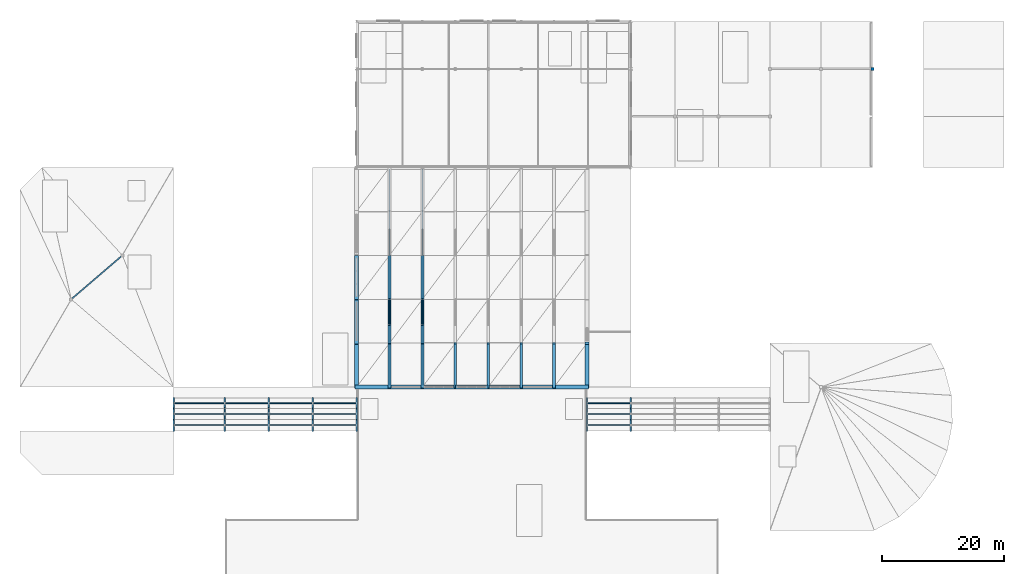
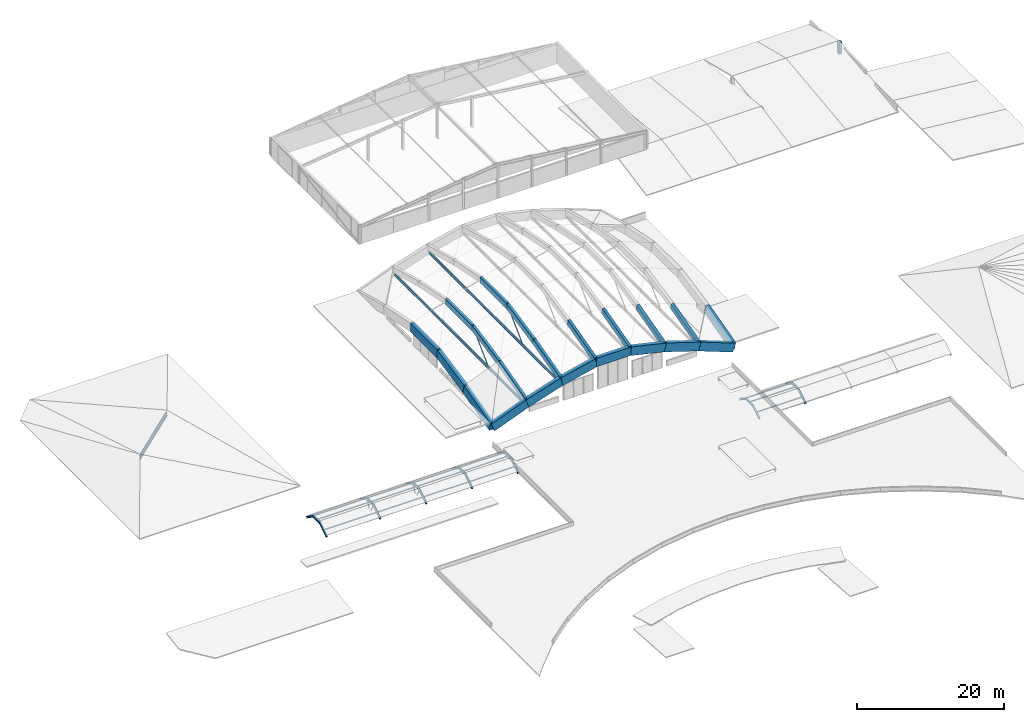
# One storey, part 6 of 27: 45 beams, 21 members, 1 column.
"""IFC4 building model written with IfcOpenShell, lengths in metres."""

from ifc_helpers import new_model, si_unit, direction, frame, origin, origin_2d, place, context, subcontext, project, spatial, rectangle, hollow_rectangle, hollow_circle, i_section, extrude, material, material_profile, profile_set, type_object, element, save


model = new_model("IFC4")

# Units and contexts
model_context = context("Model", 3, precision=1e-05, world=origin(), true_north=direction((0.0, 1.0)))
body_context = subcontext(model_context, "Body", "Model", "MODEL_VIEW")
ifc_project = project(units=[si_unit("LENGTHUNIT", "METRE"), si_unit("AREAUNIT", "SQUARE_METRE"), si_unit("VOLUMEUNIT", "CUBIC_METRE"), si_unit("PLANEANGLEUNIT", "RADIAN"), si_unit("MASSUNIT", "GRAM", prefix="KILO")], contexts=[model_context])

# Site, building, storey
site_placement = place(None, origin())
site = spatial("IfcSite", under=ifc_project, at=site_placement, CompositionType="ELEMENT")
building_placement = place(site_placement, origin())
building = spatial("IfcBuilding", under=site, at=building_placement, Name="Tazoul Stagehouse", CompositionType="ELEMENT")
storey_placement = place(building_placement, frame((0.0, 0.0, 24.89990234375)))
storey = spatial("IfcBuildingStorey", under=building, at=storey_placement, Name="RF", CompositionType="ELEMENT", Elevation=24.89990234375)

# Column
ifc_material_1 = material(Name="Concrete C40/50", Category="concrete")
ifc_material_profile_1 = material_profile(ifc_material_1, rectangle(XDim=0.5, YDim=0.5, at=origin_2d()), Name="RC 500x500")
ifc_profile_set_1 = profile_set([ifc_material_profile_1], Name="Concrete C40/50")
column_type = type_object("IfcColumnType", Name="RC Column 500x500 (Exterior)", PredefinedType="COLUMN", material=ifc_profile_set_1)
column_placement = place(storey_placement, frame((142.199951171875, 104.0, -7.989990234375), z_axis=(0.0, 0.0, 1.0), x_axis=(1.0, 0.0, 0.0)))
element("IfcColumn", 1, at=column_placement, inside=storey, type_object=column_type, Name="RF Rehearsal Vault Ridge Column C-02E (VB-21)", PredefinedType="COLUMN", context=body_context, shape_type="SweptSolid", body=[
    extrude(rectangle(XDim=0.5, YDim=0.5, at=origin_2d()), origin(), (0.0, 0.0, 1.0), 1.960205078125),
])

# Beams
ifc_material_profile_2 = material_profile(ifc_material_1, rectangle(XDim=0.449951171875, YDim=0.89990234375, at=origin_2d()), Name="RC 450x900")
ifc_profile_set_2 = profile_set([ifc_material_profile_2], Name="Concrete C40/50")
beam_type_1 = type_object("IfcBeamType", Name="RC Shell Arch Rib 450x900", PredefinedType="BEAM", material=ifc_profile_set_2)
beam_1_placement = place(storey_placement, frame((63.0, 51.800048828125, -6.15478515625), z_axis=(0.0, 0.966171834407, 0.257899178748), x_axis=(-1.0, 0.0, 0.0)))
element("IfcBeam", 2, at=beam_1_placement, inside=storey, type_object=beam_type_1, Name="Shell Arch Rib AR-01 R2.1", PredefinedType="BEAM", context=body_context, shape_type="SweptSolid", body=[
    extrude(rectangle(XDim=0.449951171875, YDim=0.89990234375, at=origin_2d()), origin(), (0.0, 0.0, 1.0), 7.4521484375),
])
beam_2_placement = place(storey_placement, frame((63.0, 59.0, -4.23291015625), z_axis=(0.0, 0.979911795909, 0.199431372251), x_axis=(-1.0, 0.0, 0.0)))
element("IfcBeam", 3, at=beam_2_placement, inside=storey, type_object=beam_type_1, Name="Shell Arch Rib AR-01 R2.2", PredefinedType="BEAM", context=body_context, shape_type="SweptSolid", body=[
    extrude(rectangle(XDim=0.449951171875, YDim=0.89990234375, at=origin_2d()), origin(), (0.0, 0.0, 1.0), 7.34765625),
])
beam_3_placement = place(storey_placement, frame((63.0, 66.199951171875, -2.767578125), z_axis=(0.0, 1.0, 0.0), x_axis=(-1.0, 0.0, 0.0)))
element("IfcBeam", 4, at=beam_3_placement, inside=storey, type_object=beam_type_1, Name="Shell Arch Rib AR-01 R2.3", PredefinedType="BEAM", context=body_context, shape_type="SweptSolid", body=[
    extrude(rectangle(XDim=0.449951171875, YDim=0.89990234375, at=origin_2d()), origin(), (0.0, 0.0, 1.0), 7.199951171875),
])
beam_4_placement = place(storey_placement, frame((68.39990234375, 51.800048828125, -4.420166015625), z_axis=(0.0, 0.966171834407, 0.257899178748), x_axis=(-1.0, 0.0, 0.0)))
element("IfcBeam", 5, at=beam_4_placement, inside=storey, type_object=beam_type_1, Name="Shell Arch Rib AR-01 R3.1", PredefinedType="BEAM", context=body_context, shape_type="SweptSolid", body=[
    extrude(rectangle(XDim=0.449951171875, YDim=0.89990234375, at=origin_2d()), origin(), (0.0, 0.0, 1.0), 7.4521484375),
])
beam_5_placement = place(storey_placement, frame((68.39990234375, 59.0, -2.498291015625), z_axis=(0.0, 0.979911795909, 0.199431372251), x_axis=(-1.0, 0.0, 0.0)))
element("IfcBeam", 6, at=beam_5_placement, inside=storey, type_object=beam_type_1, Name="Shell Arch Rib AR-01 R3.2", PredefinedType="BEAM", context=body_context, shape_type="SweptSolid", body=[
    extrude(rectangle(XDim=0.449951171875, YDim=0.89990234375, at=origin_2d()), origin(), (0.0, 0.0, 1.0), 7.34765625),
])
beam_6_placement = place(storey_placement, frame((68.39990234375, 66.199951171875, -1.032958984375), z_axis=(0.0, 1.0, 0.0), x_axis=(-1.0, 0.0, 0.0)))
element("IfcBeam", 7, at=beam_6_placement, inside=storey, type_object=beam_type_1, Name="Shell Arch Rib AR-01 R3.3", PredefinedType="BEAM", context=body_context, shape_type="SweptSolid", body=[
    extrude(rectangle(XDim=0.449951171875, YDim=0.89990234375, at=origin_2d()), origin(), (0.0, 0.0, 1.0), 7.199951171875),
])
for number, where, z_axis, x_axis, name in (
    (8, (73.800048828125, 51.800048828125, -3.160888671875), (0.0, 0.966163670627, 0.257929760905), (-1.0, 0.0, 0.0), "Shell Arch Rib AR-01 R4.1"),
    (9, (79.199951171875, 51.800048828125, -3.160888671875), (0.0, 0.966163670627, 0.257929760905), (-1.0, 0.0, 0.0), "Shell Arch Rib AR-01 R5.1"),
    (10, (84.60009765625, 51.800048828125, -4.420166015625), (0.0, 0.966171834407, 0.257899178748), (-1.0, 0.0, 0.0), "Shell Arch Rib AR-01 R6.1"),
    (11, (90.0, 51.800048828125, -6.15478515625), (0.0, 0.966171834407, 0.257899178748), (-1.0, 0.0, 0.0), "Shell Arch Rib AR-01 R7.1"),
):
    element("IfcBeam", number, at=place(storey_placement, frame(where, z_axis=z_axis, x_axis=x_axis)), inside=storey, type_object=beam_type_1, Name=name, PredefinedType="BEAM", context=body_context, shape_type="SweptSolid", body=[
        extrude(rectangle(XDim=0.449951171875, YDim=0.89990234375, at=origin_2d()), origin(), (0.0, 0.0, 1.0), 7.4521484375),
    ])
ifc_material_profile_3 = material_profile(ifc_material_1, rectangle(XDim=0.60009765625, YDim=1.39990234375, at=origin_2d()), Name="RC 600x1400")
ifc_profile_set_3 = profile_set([ifc_material_profile_3], Name="Concrete C40/50")
beam_type_2 = type_object("IfcBeamType", Name="RC Shell Edge Ring Beam 600x1400 (Exterior)", PredefinedType="BEAM", material=ifc_profile_set_3)
beam_7_placement = place(storey_placement, frame((57.60009765625, 51.800048828125, -8.5), z_axis=(0.0, 0.966163670627, 0.257929760905), x_axis=(-1.0, 0.0, 0.0)))
element("IfcBeam", 12, at=beam_7_placement, inside=storey, type_object=beam_type_2, Name="Shell Edge Beam EB-01E R1.1", PredefinedType="BEAM", context=body_context, shape_type="SweptSolid", body=[
    extrude(rectangle(XDim=0.60009765625, YDim=1.39990234375, at=origin_2d()), origin(), (0.0, 0.0, 1.0), 7.4521484375),
])
beam_8_placement = place(storey_placement, frame((57.60009765625, 59.0, -6.577880859375), z_axis=(0.0, 0.979911795909, 0.199431372251), x_axis=(-1.0, 0.0, 0.0)))
element("IfcBeam", 13, at=beam_8_placement, inside=storey, type_object=beam_type_2, Name="Shell Edge Beam EB-01E R1.2", PredefinedType="BEAM", context=body_context, shape_type="SweptSolid", body=[
    extrude(rectangle(XDim=0.60009765625, YDim=1.39990234375, at=origin_2d()), origin(), (0.0, 0.0, 1.0), 7.34765625),
])
beam_9_placement = place(storey_placement, frame((57.60009765625, 66.199951171875, -5.112548828125), z_axis=(0.0, 1.0, 0.0), x_axis=(-1.0, 0.0, 0.0)))
element("IfcBeam", 14, at=beam_9_placement, inside=storey, type_object=beam_type_2, Name="Shell Edge Beam EB-01E R1.3", PredefinedType="BEAM", context=body_context, shape_type="SweptSolid", body=[
    extrude(rectangle(XDim=0.60009765625, YDim=1.39990234375, at=origin_2d()), origin(), (0.0, 0.0, 1.0), 7.199951171875),
])
beam_10_placement = place(storey_placement, frame((95.39990234375, 51.800048828125, -8.5), z_axis=(0.0, 0.966163670627, 0.257929760905), x_axis=(-1.0, 0.0, 0.0)))
element("IfcBeam", 15, at=beam_10_placement, inside=storey, type_object=beam_type_2, Name="Shell Edge Beam EB-01E R8.1", PredefinedType="BEAM", context=body_context, shape_type="SweptSolid", body=[
    extrude(rectangle(XDim=0.60009765625, YDim=1.39990234375, at=origin_2d()), origin(), (0.0, 0.0, 1.0), 7.4521484375),
])
beam_11_placement = place(storey_placement, frame((57.60009765625, 51.800048828125, -8.52001953125), z_axis=(0.932863213405, 0.0, 0.360230794181), x_axis=(0.0, 1.0, 0.0)))
element("IfcBeam", 16, at=beam_11_placement, inside=storey, type_object=beam_type_2, Name="Shell Perimeter Edge Beam EB-01E S1", PredefinedType="BEAM", context=body_context, shape_type="SweptSolid", body=[
    extrude(rectangle(XDim=0.60009765625, YDim=1.39990234375, at=origin_2d()), origin(), (0.0, 0.0, 1.0), 5.78857421875),
])
beam_12_placement = place(storey_placement, frame((63.0, 51.800048828125, -6.434814453125), z_axis=(0.952083186685, 0.0, 0.305839182629), x_axis=(0.0, 1.0, 0.0)))
element("IfcBeam", 17, at=beam_12_placement, inside=storey, type_object=beam_type_2, Name="Shell Perimeter Edge Beam EB-01E S2", PredefinedType="BEAM", context=body_context, shape_type="SweptSolid", body=[
    extrude(rectangle(XDim=0.60009765625, YDim=1.39990234375, at=origin_2d()), origin(), (0.0, 0.0, 1.0), 5.671630859375),
])
beam_13_placement = place(storey_placement, frame((68.39990234375, 51.800048828125, -4.7001953125), z_axis=(0.973871404196, 0.0, 0.227100171927), x_axis=(0.0, 1.0, 0.0)))
element("IfcBeam", 18, at=beam_13_placement, inside=storey, type_object=beam_type_2, Name="Shell Perimeter Edge Beam EB-01E S3", PredefinedType="BEAM", context=body_context, shape_type="SweptSolid", body=[
    extrude(rectangle(XDim=0.60009765625, YDim=1.39990234375, at=origin_2d()), origin(), (0.0, 0.0, 1.0), 5.544921875),
])
beam_14_placement = place(storey_placement, frame((73.800048828125, 51.800048828125, -3.44091796875), z_axis=(1.0, 0.0, 0.0), x_axis=(0.0, 1.0, 0.0)))
element("IfcBeam", 19, at=beam_14_placement, inside=storey, type_object=beam_type_2, Name="Shell Perimeter Edge Beam EB-01E S4", PredefinedType="BEAM", context=body_context, shape_type="SweptSolid", body=[
    extrude(rectangle(XDim=0.60009765625, YDim=1.39990234375, at=origin_2d()), origin(), (0.0, 0.0, 1.0), 5.39990234375),
])
beam_15_placement = place(storey_placement, frame((79.199951171875, 51.800048828125, -3.44091796875), z_axis=(0.973871404196, 0.0, -0.227100171927), x_axis=(0.0, 1.0, 0.0)))
element("IfcBeam", 20, at=beam_15_placement, inside=storey, type_object=beam_type_2, Name="Shell Perimeter Edge Beam EB-01E S5", PredefinedType="BEAM", context=body_context, shape_type="SweptSolid", body=[
    extrude(rectangle(XDim=0.60009765625, YDim=1.39990234375, at=origin_2d()), origin(), (0.0, 0.0, 1.0), 5.544921875),
])
beam_16_placement = place(storey_placement, frame((84.60009765625, 51.800048828125, -4.7001953125), z_axis=(0.952083186685, 0.0, -0.305839182629), x_axis=(0.0, 1.0, 0.0)))
element("IfcBeam", 21, at=beam_16_placement, inside=storey, type_object=beam_type_2, Name="Shell Perimeter Edge Beam EB-01E S6", PredefinedType="BEAM", context=body_context, shape_type="SweptSolid", body=[
    extrude(rectangle(XDim=0.60009765625, YDim=1.39990234375, at=origin_2d()), origin(), (0.0, 0.0, 1.0), 5.671630859375),
])
beam_17_placement = place(storey_placement, frame((90.0, 51.800048828125, -6.434814453125), z_axis=(0.932863213405, 0.0, -0.360230794181), x_axis=(0.0, 1.0, 0.0)))
element("IfcBeam", 22, at=beam_17_placement, inside=storey, type_object=beam_type_2, Name="Shell Perimeter Edge Beam EB-01E S7", PredefinedType="BEAM", context=body_context, shape_type="SweptSolid", body=[
    extrude(rectangle(XDim=0.60009765625, YDim=1.39990234375, at=origin_2d()), origin(), (0.0, 0.0, 1.0), 5.78857421875),
])

# Members
ifc_material_2 = material(Name="Steel S355", Category="steel")
ifc_material_profile_4 = material_profile(ifc_material_2, hollow_circle(Radius=0.084228515625, WallThickness=0.008056640625, at=origin_2d()), Name="CHS 168.3x8")
ifc_profile_set_4 = profile_set([ifc_material_profile_4], Name="Steel S355")
member_type_1 = type_object("IfcMemberType", Name="Roof Plan Wind Brace CHS 168.3x8", PredefinedType="BRACE", material=ifc_profile_set_4)
member_1_placement = place(storey_placement, frame((63.0, 62.0, -6.8349609375), z_axis=(0.0, 0.718353032031, 0.695678748685), x_axis=(-1.0, 0.0, 0.0)))
element("IfcMember", 23, at=member_1_placement, inside=storey, type_object=member_type_1, Name="RF Concentric Brace BR-03 (SHELL-STRUT-02S)", PredefinedType="BRACE", context=body_context, shape_type="SweptSolid", body=[
    extrude(hollow_circle(Radius=0.084228515625, WallThickness=0.008056640625, at=origin_2d()), origin(), (0.0, 0.0, 1.0), 5.8466796875),
])
member_2_placement = place(storey_placement, frame((68.39990234375, 62.0, -5.10009765625), z_axis=(0.0, 0.718373900293, 0.695657199616), x_axis=(-1.0, 0.0, 0.0)))
element("IfcMember", 24, at=member_2_placement, inside=storey, type_object=member_type_1, Name="RF Concentric Brace BR-03 (SHELL-STRUT-03S)", PredefinedType="BRACE", context=body_context, shape_type="SweptSolid", body=[
    extrude(hollow_circle(Radius=0.084228515625, WallThickness=0.008056640625, at=origin_2d()), origin(), (0.0, 0.0, 1.0), 5.846435546875),
])
ifc_material_profile_5 = material_profile(ifc_material_2, hollow_circle(Radius=0.084228515625, WallThickness=0.008056640625, at=origin_2d()), Name="CHS 168.3x8")
ifc_profile_set_5 = profile_set([ifc_material_profile_5], Name="Steel S355")
member_type_2 = type_object("IfcMemberType", Name="Roof Plan Wind Brace CHS 168.3x8 (Exterior)", PredefinedType="BRACE", material=ifc_profile_set_5)
member_3_placement = place(storey_placement, frame((36.0, 47.14990234375, -12.0), z_axis=(0.0, -0.464222018698, 0.885718870385), x_axis=(1.0, 0.0, 0.0)))
element("IfcMember", 25, at=member_3_placement, inside=storey, type_object=member_type_2, Name="RF Concentric Brace BR-03E (BR-VP-WEB-36-1)", PredefinedType="BRACE", context=body_context, shape_type="SweptSolid", body=[
    extrude(hollow_circle(Radius=0.084228515625, WallThickness=0.008056640625, at=origin_2d()), origin(), (0.0, 0.0, 1.0), 1.39990234375),
])
member_4_placement = place(storey_placement, frame((36.0, 47.64990234375, -12.0), z_axis=(0.0, 0.46435880945, 0.885647162298), x_axis=(-1.0, 0.0, 0.0)))
element("IfcMember", 26, at=member_4_placement, inside=storey, type_object=member_type_2, Name="RF Concentric Brace BR-03E (BR-VP-WEB-36-2)", PredefinedType="BRACE", context=body_context, shape_type="SweptSolid", body=[
    extrude(hollow_circle(Radius=0.084228515625, WallThickness=0.008056640625, at=origin_2d()), origin(), (0.0, 0.0, 1.0), 1.400146484375),
])
member_5_placement = place(storey_placement, frame((43.199951171875, 47.14990234375, -12.0), z_axis=(0.0, -0.464222018698, 0.885718870385), x_axis=(1.0, 0.0, 0.0)))
element("IfcMember", 27, at=member_5_placement, inside=storey, type_object=member_type_2, Name="RF Concentric Brace BR-03E (BR-VP-WEB-43-1)", PredefinedType="BRACE", context=body_context, shape_type="SweptSolid", body=[
    extrude(hollow_circle(Radius=0.084228515625, WallThickness=0.008056640625, at=origin_2d()), origin(), (0.0, 0.0, 1.0), 1.39990234375),
])
member_6_placement = place(storey_placement, frame((43.199951171875, 47.64990234375, -12.0), z_axis=(0.0, 0.46435880945, 0.885647162298), x_axis=(-1.0, 0.0, 0.0)))
element("IfcMember", 28, at=member_6_placement, inside=storey, type_object=member_type_2, Name="RF Concentric Brace BR-03E (BR-VP-WEB-43-2)", PredefinedType="BRACE", context=body_context, shape_type="SweptSolid", body=[
    extrude(hollow_circle(Radius=0.084228515625, WallThickness=0.008056640625, at=origin_2d()), origin(), (0.0, 0.0, 1.0), 1.400146484375),
])

# Beams
ifc_material_profile_6 = material_profile(ifc_material_2, i_section(OverallWidth=0.2099609375, OverallDepth=0.550048828125, WebThickness=0.010986328125, FlangeThickness=0.01708984375, FilletRadius=0.02392578125, at=origin_2d()), Name="IPE 550")
ifc_profile_set_6 = profile_set([ifc_material_profile_6], Name="Steel S355")
beam_type_3 = type_object("IfcBeamType", Name="Steel Hall Girder IPE 550", PredefinedType="BEAM", material=ifc_profile_set_6)
beam_18_placement = place(storey_placement, frame((10.800048828125, 66.199951171875, -6.02001953125), z_axis=(0.759255044656, 0.650793190779, 0.0), x_axis=(-0.650793190779, 0.759255044656, 0.0)))
element("IfcBeam", 29, at=beam_18_placement, inside=storey, type_object=beam_type_3, Name="RF Black-Box Folded Roof Spine Girder SB-05", PredefinedType="BEAM", context=body_context, shape_type="SweptSolid", body=[
    extrude(i_section(OverallWidth=0.2099609375, OverallDepth=0.550048828125, WebThickness=0.010986328125, FlangeThickness=0.01708984375, FilletRadius=0.02392578125, at=origin_2d()), origin(), (0.0, 0.0, 1.0), 11.063232421875),
])
ifc_material_profile_7 = material_profile(ifc_material_2, i_section(OverallWidth=0.18994140625, OverallDepth=0.449951171875, WebThickness=0.009521484375, FlangeThickness=0.0146484375, FilletRadius=0.02099609375, at=origin_2d()), Name="IPE 450")
ifc_profile_set_7 = profile_set([ifc_material_profile_7], Name="Steel S355")
beam_type_4 = type_object("IfcBeamType", Name="Steel Stage Girder IPE 450", PredefinedType="BEAM", material=ifc_profile_set_7)
for number, where, z_axis, x_axis, name in (
    (30, (63.0, 52.050048828125, -6.8349609375), (0.0, 1.0, 0.0), (-1.0, 0.0, 0.0), "Shell Tied-Arch Tension Chord SB-03 R2"),
    (31, (68.39990234375, 52.050048828125, -5.10009765625), (0.0, 1.0, 0.0), (-1.0, 0.0, 0.0), "Shell Tied-Arch Tension Chord SB-03 R3"),
):
    element("IfcBeam", number, at=place(storey_placement, frame(where, z_axis=z_axis, x_axis=x_axis)), inside=storey, type_object=beam_type_4, Name=name, PredefinedType="BEAM", context=body_context, shape_type="SweptSolid", body=[
        extrude(i_section(OverallWidth=0.18994140625, OverallDepth=0.449951171875, WebThickness=0.009521484375, FlangeThickness=0.0146484375, FilletRadius=0.02099609375, at=origin_2d()), origin(), (0.0, 0.0, 1.0), 35.5),
    ])
ifc_material_profile_8 = material_profile(ifc_material_2, i_section(OverallWidth=0.239990234375, OverallDepth=0.239990234375, WebThickness=0.010009765625, FlangeThickness=0.01708984375, FilletRadius=0.02099609375, at=origin_2d()), Name="HEB 240")
ifc_profile_set_8 = profile_set([ifc_material_profile_8], Name="Steel S355")
beam_type_5 = type_object("IfcBeamType", Name="Steel Vault Arch Rib HEB 240", PredefinedType="BEAM", material=ifc_profile_set_8)
beam_19_placement = place(storey_placement, frame((27.60009765625, 44.60009765625, -11.919921875), z_axis=(0.0, 0.845486321324, 0.533997079068), x_axis=(-1.0, 0.0, 0.0)))
element("IfcBeam", 32, at=beam_19_placement, inside=storey, type_object=beam_type_5, Name="Vault Arch Rib SB-10 W27.1", PredefinedType="BEAM", context=body_context, shape_type="SweptSolid", body=[
    extrude(i_section(OverallWidth=0.239990234375, OverallDepth=0.239990234375, WebThickness=0.010009765625, FlangeThickness=0.01708984375, FilletRadius=0.02099609375, at=origin_2d()), origin(), (0.0, 0.0, 1.0), 2.2470703125),
])
beam_20_placement = place(storey_placement, frame((27.60009765625, 46.5, -10.719970703125), z_axis=(0.0, 1.0, 0.0), x_axis=(-1.0, 0.0, 0.0)))
element("IfcBeam", 33, at=beam_20_placement, inside=storey, type_object=beam_type_5, Name="Vault Arch Rib SB-10 W27.2", PredefinedType="BEAM", context=body_context, shape_type="SweptSolid", body=[
    extrude(i_section(OverallWidth=0.239990234375, OverallDepth=0.239990234375, WebThickness=0.010009765625, FlangeThickness=0.01708984375, FilletRadius=0.02099609375, at=origin_2d()), origin(), (0.0, 0.0, 1.0), 1.800048828125),
])
beam_21_placement = place(storey_placement, frame((27.60009765625, 48.300048828125, -10.719970703125), z_axis=(0.0, 0.816971114901, -0.576678591087), x_axis=(-1.0, 0.0, 0.0)))
element("IfcBeam", 34, at=beam_21_placement, inside=storey, type_object=beam_type_5, Name="Vault Arch Rib SB-10 W27.3", PredefinedType="BEAM", context=body_context, shape_type="SweptSolid", body=[
    extrude(i_section(OverallWidth=0.239990234375, OverallDepth=0.239990234375, WebThickness=0.010009765625, FlangeThickness=0.01708984375, FilletRadius=0.02099609375, at=origin_2d()), origin(), (0.0, 0.0, 1.0), 2.080810546875),
])
beam_22_placement = place(storey_placement, frame((36.0, 44.60009765625, -11.919921875), z_axis=(0.0, 0.845486321324, 0.533997079068), x_axis=(-1.0, 0.0, 0.0)))
element("IfcBeam", 35, at=beam_22_placement, inside=storey, type_object=beam_type_5, Name="Vault Arch Rib SB-10 W36.1", PredefinedType="BEAM", context=body_context, shape_type="SweptSolid", body=[
    extrude(i_section(OverallWidth=0.239990234375, OverallDepth=0.239990234375, WebThickness=0.010009765625, FlangeThickness=0.01708984375, FilletRadius=0.02099609375, at=origin_2d()), origin(), (0.0, 0.0, 1.0), 2.2470703125),
])
beam_23_placement = place(storey_placement, frame((36.0, 46.5, -10.719970703125), z_axis=(0.0, 1.0, 0.0), x_axis=(-1.0, 0.0, 0.0)))
element("IfcBeam", 36, at=beam_23_placement, inside=storey, type_object=beam_type_5, Name="Vault Arch Rib SB-10 W36.2", PredefinedType="BEAM", context=body_context, shape_type="SweptSolid", body=[
    extrude(i_section(OverallWidth=0.239990234375, OverallDepth=0.239990234375, WebThickness=0.010009765625, FlangeThickness=0.01708984375, FilletRadius=0.02099609375, at=origin_2d()), origin(), (0.0, 0.0, 1.0), 1.800048828125),
])
beam_24_placement = place(storey_placement, frame((36.0, 48.300048828125, -10.719970703125), z_axis=(0.0, 0.816971114901, -0.576678591087), x_axis=(-1.0, 0.0, 0.0)))
element("IfcBeam", 37, at=beam_24_placement, inside=storey, type_object=beam_type_5, Name="Vault Arch Rib SB-10 W36.3", PredefinedType="BEAM", context=body_context, shape_type="SweptSolid", body=[
    extrude(i_section(OverallWidth=0.239990234375, OverallDepth=0.239990234375, WebThickness=0.010009765625, FlangeThickness=0.01708984375, FilletRadius=0.02099609375, at=origin_2d()), origin(), (0.0, 0.0, 1.0), 2.080810546875),
])
beam_25_placement = place(storey_placement, frame((43.199951171875, 44.60009765625, -11.919921875), z_axis=(0.0, 0.845486321324, 0.533997079068), x_axis=(-1.0, 0.0, 0.0)))
element("IfcBeam", 38, at=beam_25_placement, inside=storey, type_object=beam_type_5, Name="Vault Arch Rib SB-10 W43.1", PredefinedType="BEAM", context=body_context, shape_type="SweptSolid", body=[
    extrude(i_section(OverallWidth=0.239990234375, OverallDepth=0.239990234375, WebThickness=0.010009765625, FlangeThickness=0.01708984375, FilletRadius=0.02099609375, at=origin_2d()), origin(), (0.0, 0.0, 1.0), 2.2470703125),
])
beam_26_placement = place(storey_placement, frame((43.199951171875, 46.5, -10.719970703125), z_axis=(0.0, 1.0, 0.0), x_axis=(-1.0, 0.0, 0.0)))
element("IfcBeam", 39, at=beam_26_placement, inside=storey, type_object=beam_type_5, Name="Vault Arch Rib SB-10 W43.2", PredefinedType="BEAM", context=body_context, shape_type="SweptSolid", body=[
    extrude(i_section(OverallWidth=0.239990234375, OverallDepth=0.239990234375, WebThickness=0.010009765625, FlangeThickness=0.01708984375, FilletRadius=0.02099609375, at=origin_2d()), origin(), (0.0, 0.0, 1.0), 1.800048828125),
])
beam_27_placement = place(storey_placement, frame((43.199951171875, 48.300048828125, -10.719970703125), z_axis=(0.0, 0.816971114901, -0.576678591087), x_axis=(-1.0, 0.0, 0.0)))
element("IfcBeam", 40, at=beam_27_placement, inside=storey, type_object=beam_type_5, Name="Vault Arch Rib SB-10 W43.3", PredefinedType="BEAM", context=body_context, shape_type="SweptSolid", body=[
    extrude(i_section(OverallWidth=0.239990234375, OverallDepth=0.239990234375, WebThickness=0.010009765625, FlangeThickness=0.01708984375, FilletRadius=0.02099609375, at=origin_2d()), origin(), (0.0, 0.0, 1.0), 2.080810546875),
])
beam_28_placement = place(storey_placement, frame((50.39990234375, 44.60009765625, -11.919921875), z_axis=(0.0, 0.845486321324, 0.533997079068), x_axis=(-1.0, 0.0, 0.0)))
element("IfcBeam", 41, at=beam_28_placement, inside=storey, type_object=beam_type_5, Name="Vault Arch Rib SB-10 W50.1", PredefinedType="BEAM", context=body_context, shape_type="SweptSolid", body=[
    extrude(i_section(OverallWidth=0.239990234375, OverallDepth=0.239990234375, WebThickness=0.010009765625, FlangeThickness=0.01708984375, FilletRadius=0.02099609375, at=origin_2d()), origin(), (0.0, 0.0, 1.0), 2.2470703125),
])
beam_29_placement = place(storey_placement, frame((50.39990234375, 46.5, -10.719970703125), z_axis=(0.0, 1.0, 0.0), x_axis=(-1.0, 0.0, 0.0)))
element("IfcBeam", 42, at=beam_29_placement, inside=storey, type_object=beam_type_5, Name="Vault Arch Rib SB-10 W50.2", PredefinedType="BEAM", context=body_context, shape_type="SweptSolid", body=[
    extrude(i_section(OverallWidth=0.239990234375, OverallDepth=0.239990234375, WebThickness=0.010009765625, FlangeThickness=0.01708984375, FilletRadius=0.02099609375, at=origin_2d()), origin(), (0.0, 0.0, 1.0), 1.800048828125),
])
beam_30_placement = place(storey_placement, frame((50.39990234375, 48.300048828125, -10.719970703125), z_axis=(0.0, 0.816971114901, -0.576678591087), x_axis=(-1.0, 0.0, 0.0)))
element("IfcBeam", 43, at=beam_30_placement, inside=storey, type_object=beam_type_5, Name="Vault Arch Rib SB-10 W50.3", PredefinedType="BEAM", context=body_context, shape_type="SweptSolid", body=[
    extrude(i_section(OverallWidth=0.239990234375, OverallDepth=0.239990234375, WebThickness=0.010009765625, FlangeThickness=0.01708984375, FilletRadius=0.02099609375, at=origin_2d()), origin(), (0.0, 0.0, 1.0), 2.080810546875),
])
beam_31_placement = place(storey_placement, frame((57.60009765625, 44.60009765625, -11.919921875), z_axis=(0.0, 0.845486321324, 0.533997079068), x_axis=(-1.0, 0.0, 0.0)))
element("IfcBeam", 44, at=beam_31_placement, inside=storey, type_object=beam_type_5, Name="Vault Arch Rib SB-10 W57.1", PredefinedType="BEAM", context=body_context, shape_type="SweptSolid", body=[
    extrude(i_section(OverallWidth=0.239990234375, OverallDepth=0.239990234375, WebThickness=0.010009765625, FlangeThickness=0.01708984375, FilletRadius=0.02099609375, at=origin_2d()), origin(), (0.0, 0.0, 1.0), 2.2470703125),
])
beam_32_placement = place(storey_placement, frame((57.60009765625, 46.5, -10.719970703125), z_axis=(0.0, 1.0, 0.0), x_axis=(-1.0, 0.0, 0.0)))
element("IfcBeam", 45, at=beam_32_placement, inside=storey, type_object=beam_type_5, Name="Vault Arch Rib SB-10 W57.2", PredefinedType="BEAM", context=body_context, shape_type="SweptSolid", body=[
    extrude(i_section(OverallWidth=0.239990234375, OverallDepth=0.239990234375, WebThickness=0.010009765625, FlangeThickness=0.01708984375, FilletRadius=0.02099609375, at=origin_2d()), origin(), (0.0, 0.0, 1.0), 1.800048828125),
])
beam_33_placement = place(storey_placement, frame((57.60009765625, 48.300048828125, -10.719970703125), z_axis=(0.0, 0.816971114901, -0.576678591087), x_axis=(-1.0, 0.0, 0.0)))
element("IfcBeam", 46, at=beam_33_placement, inside=storey, type_object=beam_type_5, Name="Vault Arch Rib SB-10 W57.3", PredefinedType="BEAM", context=body_context, shape_type="SweptSolid", body=[
    extrude(i_section(OverallWidth=0.239990234375, OverallDepth=0.239990234375, WebThickness=0.010009765625, FlangeThickness=0.01708984375, FilletRadius=0.02099609375, at=origin_2d()), origin(), (0.0, 0.0, 1.0), 2.080810546875),
])
beam_34_placement = place(storey_placement, frame((95.39990234375, 44.60009765625, -16.119873046875), z_axis=(0.0, 0.857502648253, 0.514479550847), x_axis=(-1.0, 0.0, 0.0)))
element("IfcBeam", 47, at=beam_34_placement, inside=storey, type_object=beam_type_5, Name="Vault Arch Rib SB-10 E95.1", PredefinedType="BEAM", context=body_context, shape_type="SweptSolid", body=[
    extrude(i_section(OverallWidth=0.239990234375, OverallDepth=0.239990234375, WebThickness=0.010009765625, FlangeThickness=0.01708984375, FilletRadius=0.02099609375, at=origin_2d()), origin(), (0.0, 0.0, 1.0), 2.215576171875),
])
beam_35_placement = place(storey_placement, frame((95.39990234375, 46.5, -14.97998046875), z_axis=(0.0, 1.0, 0.0), x_axis=(-1.0, 0.0, 0.0)))
element("IfcBeam", 48, at=beam_35_placement, inside=storey, type_object=beam_type_5, Name="Vault Arch Rib SB-10 E95.2", PredefinedType="BEAM", context=body_context, shape_type="SweptSolid", body=[
    extrude(i_section(OverallWidth=0.239990234375, OverallDepth=0.239990234375, WebThickness=0.010009765625, FlangeThickness=0.01708984375, FilletRadius=0.02099609375, at=origin_2d()), origin(), (0.0, 0.0, 1.0), 1.800048828125),
])
beam_36_placement = place(storey_placement, frame((95.39990234375, 48.300048828125, -14.97998046875), z_axis=(0.0, 0.830560869138, -0.556927861268), x_axis=(-1.0, 0.0, 0.0)))
element("IfcBeam", 49, at=beam_36_placement, inside=storey, type_object=beam_type_5, Name="Vault Arch Rib SB-10 E95.3", PredefinedType="BEAM", context=body_context, shape_type="SweptSolid", body=[
    extrude(i_section(OverallWidth=0.239990234375, OverallDepth=0.239990234375, WebThickness=0.010009765625, FlangeThickness=0.01708984375, FilletRadius=0.02099609375, at=origin_2d()), origin(), (0.0, 0.0, 1.0), 2.046630859375),
])
beam_37_placement = place(storey_placement, frame((102.60009765625, 44.60009765625, -16.119873046875), z_axis=(0.0, 0.857502648253, 0.514479550847), x_axis=(-1.0, 0.0, 0.0)))
element("IfcBeam", 50, at=beam_37_placement, inside=storey, type_object=beam_type_5, Name="Vault Arch Rib SB-10 E102.1", PredefinedType="BEAM", context=body_context, shape_type="SweptSolid", body=[
    extrude(i_section(OverallWidth=0.239990234375, OverallDepth=0.239990234375, WebThickness=0.010009765625, FlangeThickness=0.01708984375, FilletRadius=0.02099609375, at=origin_2d()), origin(), (0.0, 0.0, 1.0), 2.215576171875),
])
beam_38_placement = place(storey_placement, frame((102.60009765625, 46.5, -14.97998046875), z_axis=(0.0, 1.0, 0.0), x_axis=(-1.0, 0.0, 0.0)))
element("IfcBeam", 51, at=beam_38_placement, inside=storey, type_object=beam_type_5, Name="Vault Arch Rib SB-10 E102.2", PredefinedType="BEAM", context=body_context, shape_type="SweptSolid", body=[
    extrude(i_section(OverallWidth=0.239990234375, OverallDepth=0.239990234375, WebThickness=0.010009765625, FlangeThickness=0.01708984375, FilletRadius=0.02099609375, at=origin_2d()), origin(), (0.0, 0.0, 1.0), 1.800048828125),
])
beam_39_placement = place(storey_placement, frame((102.60009765625, 48.300048828125, -14.97998046875), z_axis=(0.0, 0.830560869138, -0.556927861268), x_axis=(-1.0, 0.0, 0.0)))
element("IfcBeam", 52, at=beam_39_placement, inside=storey, type_object=beam_type_5, Name="Vault Arch Rib SB-10 E102.3", PredefinedType="BEAM", context=body_context, shape_type="SweptSolid", body=[
    extrude(i_section(OverallWidth=0.239990234375, OverallDepth=0.239990234375, WebThickness=0.010009765625, FlangeThickness=0.01708984375, FilletRadius=0.02099609375, at=origin_2d()), origin(), (0.0, 0.0, 1.0), 2.046630859375),
])

# Members
ifc_material_profile_9 = material_profile(ifc_material_2, hollow_rectangle(XDim=0.10009765625, YDim=0.179931640625, WallThickness=0.008056640625, InnerFilletRadius=0.008056640625, OuterFilletRadius=0.011962890625, at=origin_2d()), Name="RHS 180x100x8")
ifc_profile_set_9 = profile_set([ifc_material_profile_9], Name="Steel S355")
member_type_3 = type_object("IfcMemberType", Name="Vault Canopy Purlin RHS 180x100x8 (Exterior)", PredefinedType="PURLIN", material=ifc_profile_set_9)
for number, where, z_axis, x_axis, name in (
    (53, (27.659912109375, 45.550048828125, -11.35986328125), (1.0, 0.0, 0.0), (0.0, 1.0, 0.0), "RF Roof Purlin PR-02E (PURL-VP-W1-1)"),
    (54, (27.659912109375, 47.39990234375, -10.760009765625), (1.0, 0.0, 0.0), (0.0, 1.0, 0.0), "RF Roof Purlin PR-02E (PURL-VP-W1-2)"),
    (55, (27.659912109375, 49.14990234375, -11.35986328125), (1.0, 0.0, 0.0), (0.0, 1.0, 0.0), "RF Roof Purlin PR-02E (PURL-VP-W1-3)"),
):
    element("IfcMember", number, at=place(storey_placement, frame(where, z_axis=z_axis, x_axis=x_axis)), inside=storey, type_object=member_type_3, Name=name, PredefinedType="PURLIN", context=body_context, shape_type="SweptSolid", body=[
        extrude(hollow_rectangle(XDim=0.10009765625, YDim=0.179931640625, WallThickness=0.008056640625, InnerFilletRadius=0.008056640625, OuterFilletRadius=0.011962890625, at=origin_2d()), origin(), (0.0, 0.0, 1.0), 8.280029296875),
    ])
for number, where, z_axis, x_axis, name in (
    (56, (36.06005859375, 45.550048828125, -11.35986328125), (1.0, 0.0, 0.0), (0.0, 1.0, 0.0), "RF Roof Purlin PR-02E (PURL-VP-W2-1)"),
    (57, (36.06005859375, 47.39990234375, -10.760009765625), (1.0, 0.0, 0.0), (0.0, 1.0, 0.0), "RF Roof Purlin PR-02E (PURL-VP-W2-2)"),
    (58, (36.06005859375, 49.14990234375, -11.35986328125), (1.0, 0.0, 0.0), (0.0, 1.0, 0.0), "RF Roof Purlin PR-02E (PURL-VP-W2-3)"),
):
    element("IfcMember", number, at=place(storey_placement, frame(where, z_axis=z_axis, x_axis=x_axis)), inside=storey, type_object=member_type_3, Name=name, PredefinedType="PURLIN", context=body_context, shape_type="SweptSolid", body=[
        extrude(hollow_rectangle(XDim=0.10009765625, YDim=0.179931640625, WallThickness=0.008056640625, InnerFilletRadius=0.008056640625, OuterFilletRadius=0.011962890625, at=origin_2d()), origin(), (0.0, 0.0, 1.0), 7.079833984375),
    ])
for number, where, z_axis, x_axis, name in (
    (59, (43.260009765625, 45.550048828125, -11.35986328125), (1.0, 0.0, 0.0), (0.0, 1.0, 0.0), "RF Roof Purlin PR-02E (PURL-VP-W3-1)"),
    (60, (43.260009765625, 47.39990234375, -10.760009765625), (1.0, 0.0, 0.0), (0.0, 1.0, 0.0), "RF Roof Purlin PR-02E (PURL-VP-W3-2)"),
    (61, (43.260009765625, 49.14990234375, -11.35986328125), (1.0, 0.0, 0.0), (0.0, 1.0, 0.0), "RF Roof Purlin PR-02E (PURL-VP-W3-3)"),
    (62, (50.4599609375, 45.550048828125, -11.35986328125), (1.0, 0.0, 0.0), (0.0, 1.0, 0.0), "RF Roof Purlin PR-02E (PURL-VP-W4-1)"),
    (63, (50.4599609375, 47.39990234375, -10.760009765625), (1.0, 0.0, 0.0), (0.0, 1.0, 0.0), "RF Roof Purlin PR-02E (PURL-VP-W4-2)"),
    (64, (50.4599609375, 49.14990234375, -11.35986328125), (1.0, 0.0, 0.0), (0.0, 1.0, 0.0), "RF Roof Purlin PR-02E (PURL-VP-W4-3)"),
    (65, (95.4599609375, 45.550048828125, -15.58984375), (1.0, 0.0, 0.0), (0.0, 1.0, 0.0), "RF Roof Purlin PR-02E (PURL-VP-E1-1)"),
    (66, (95.4599609375, 47.39990234375, -15.02001953125), (1.0, 0.0, 0.0), (0.0, 1.0, 0.0), "RF Roof Purlin PR-02E (PURL-VP-E1-2)"),
    (67, (95.4599609375, 49.14990234375, -15.58984375), (1.0, 0.0, 0.0), (0.0, 1.0, 0.0), "RF Roof Purlin PR-02E (PURL-VP-E1-3)"),
):
    element("IfcMember", number, at=place(storey_placement, frame(where, z_axis=z_axis, x_axis=x_axis)), inside=storey, type_object=member_type_3, Name=name, PredefinedType="PURLIN", context=body_context, shape_type="SweptSolid", body=[
        extrude(hollow_rectangle(XDim=0.10009765625, YDim=0.179931640625, WallThickness=0.008056640625, InnerFilletRadius=0.008056640625, OuterFilletRadius=0.011962890625, at=origin_2d()), origin(), (0.0, 0.0, 1.0), 7.080078125),
    ])

save(model, "model.ifc")
